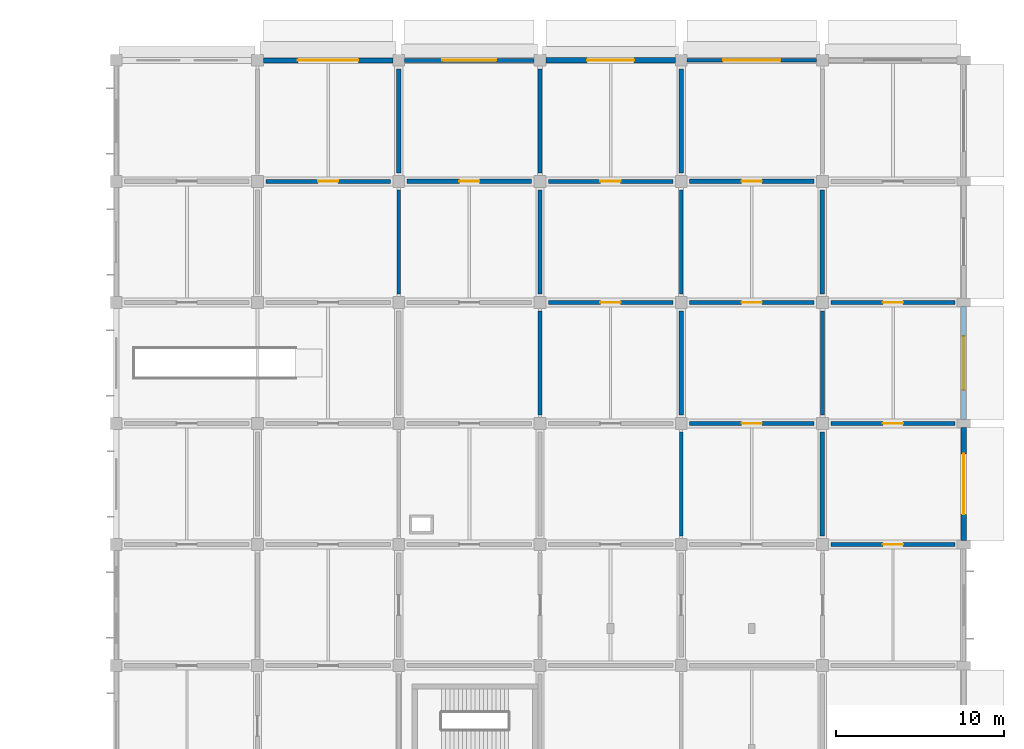
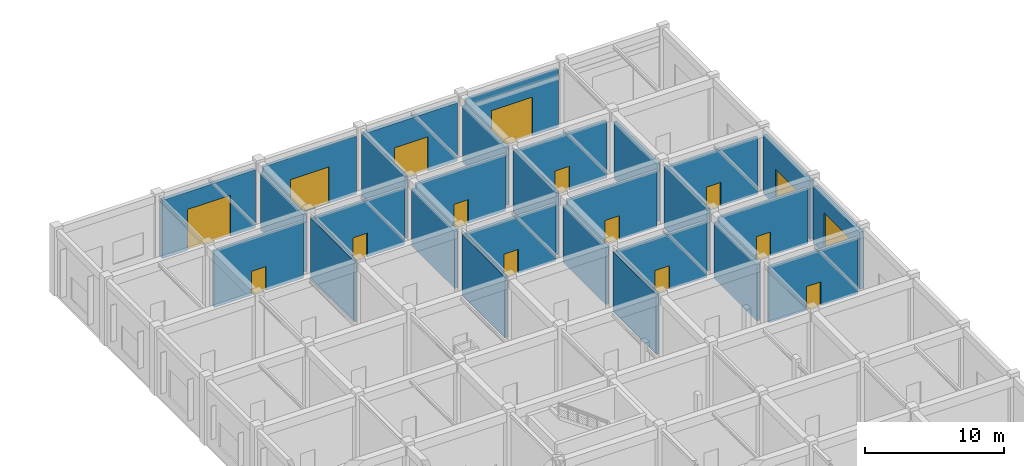
# One storey, part 26 of 39: 28 walls, 16 doors, 16 openings.
"""IFC4 building model written with IfcOpenShell, lengths in metres."""

from ifc_helpers import new_model, si_unit, derived_unit, direction, frame, frame_2d, origin, place, context, subcontext, project, spatial, rectangle, extrude, material, layer, layer_set, type_object, element, fill, save


model = new_model("IFC4")

# Units and contexts
model_context = context("Model", 3, precision=1e-05, world=origin(), true_north=direction((0.0, 1.0)))
body_context = subcontext(model_context, "Body", "Model", "MODEL_VIEW")
ifc_project = project(units=[si_unit("LENGTHUNIT", "METRE"), si_unit("AREAUNIT", "SQUARE_METRE"), si_unit("VOLUMEUNIT", "CUBIC_METRE"), si_unit("PLANEANGLEUNIT", "RADIAN"), si_unit("MASSUNIT", "GRAM", prefix="KILO"), derived_unit("THERMALTRANSMITTANCEUNIT", [(si_unit("MASSUNIT", "GRAM", prefix="KILO"), 1), (si_unit("TIMEUNIT", "SECOND"), -3), (si_unit("THERMODYNAMICTEMPERATUREUNIT", "KELVIN"), -1)])], contexts=[model_context])

# Site, building, storey
site_placement = place(None, origin())
site = spatial("IfcSite", under=ifc_project, at=site_placement, CompositionType="ELEMENT")
building_placement = place(site_placement, origin())
building = spatial("IfcBuilding", under=site, at=building_placement, Name="Veldstrom Oceanarium and Marine Research Institute", CompositionType="ELEMENT")
storey_placement = place(building_placement, origin())
storey = spatial("IfcBuildingStorey", under=building, at=storey_placement, Name="L00", CompositionType="ELEMENT", Elevation=0.0)

# Wall, opening, door
ifc_material_1 = material(Name="Masonry Cavity Wall", Category="masonry")
ifc_layer_1 = layer(ifc_material_1, 0.31005859375)
ifc_layer_set_1 = layer_set([ifc_layer_1], Name="ARC-WAL-EW1")
wall_type_1 = type_object("IfcWallType", Name="ARC-WAL-EW1", PredefinedType="SOLIDWALL", material=ifc_layer_set_1)
wall_1_placement = place(storey_placement, frame((143.14990234375, 115.199951171875, 0.0), z_axis=(0.0, 0.0, 1.0), x_axis=(1.0, 0.0, 0.0)))
wall_1 = element("IfcWall", 1, at=wall_1_placement, inside=storey, type_object=wall_type_1, Name="Exterior Facade Wall EW1 L00-048", PredefinedType="SOLIDWALL", context=body_context, shape_type="SweptSolid", body=[
    extrude(rectangle(XDim=7.7001953125, YDim=0.31005859375, at=frame_2d((3.85009765625, 0.0))), origin(), (0.0, 0.0, 1.0), 5.1201171875),
])
opening_1_placement = place(wall_1_placement, frame((2.449951171875, 0.0, 0.0)))
opening_1 = element("IfcOpeningElement", 2, at=opening_1_placement, cuts=wall_1, Name="Opening G-L00-03", PredefinedType="OPENING", context=body_context, shape_type="SweptSolid", body=[
    extrude(rectangle(XDim=2.800048828125, YDim=3.0, at=frame_2d((1.39990234375, 1.5))), frame((0.0, 0.1650390625, 0.0), z_axis=(0.0, -1.0, 0.0), x_axis=(1.0, 0.0, 0.0)), (0.0, 0.0, 1.0), 0.330078125),
])
ifc_material_2 = material(Name="Galvanised Plant Access Shutter", Category="steel")
door_type_1 = type_object("IfcDoorType", Name="ARC-DOR-GT3", OperationType="ROLLINGUP", PredefinedType="GATE", material=ifc_material_2)
door_1_placement = place(opening_1_placement, origin())
door_1 = element("IfcDoor", 3, at=door_1_placement, inside=storey, type_object=door_type_1, Name="Roller Shutter Gate G-L00-03", OperationType="ROLLINGUP", OverallHeight=3.0, OverallWidth=2.800048828125, PredefinedType="GATE", context=body_context, shape_type="SweptSolid", body=[
    extrude(rectangle(XDim=2.800048828125, YDim=3.0, at=frame_2d((1.39990234375, 1.5))), frame((0.0, 0.02490234375, 0.0), z_axis=(0.0, -1.0, 0.0), x_axis=(1.0, 0.0, 0.0)), (0.0, 0.0, 1.0), 0.050048828125),
])
fill(opening_1, door_1)

wall_2_placement = place(storey_placement, frame((168.0, 86.64990234375, 0.0), z_axis=(0.0, 0.0, 1.0), x_axis=(0.0, 1.0, 0.0)))
wall_2 = element("IfcWall", 4, at=wall_2_placement, inside=storey, type_object=wall_type_1, Name="Exterior Facade Wall EW1 L00-058", PredefinedType="SOLIDWALL", context=body_context, shape_type="SweptSolid", body=[
    extrude(rectangle(XDim=6.7001953125, YDim=0.31005859375, at=frame_2d((3.35009765625, 0.0))), origin(), (0.0, 0.0, 1.0), 5.02001953125),
])
opening_2_placement = place(wall_2_placement, frame((1.550048828125, 0.0, 0.0)))
opening_2 = element("IfcOpeningElement", 5, at=opening_2_placement, cuts=wall_2, Name="Opening G-L00-05", PredefinedType="OPENING", context=body_context, shape_type="SweptSolid", body=[
    extrude(rectangle(XDim=3.60009765625, YDim=3.60009765625, at=frame_2d((1.800048828125, 1.800048828125))), frame((0.0, 0.1650390625, 0.0), z_axis=(0.0, -1.0, 0.0), x_axis=(1.0, 0.0, 0.0)), (0.0, 0.0, 1.0), 0.330078125),
])
ifc_material_3 = material(Name="Insulated Steel Quarantine Shutter", Category="steel")
door_type_2 = type_object("IfcDoorType", Name="ARC-DOR-GT1", OperationType="ROLLINGUP", PredefinedType="GATE", material=ifc_material_3)
door_2_placement = place(opening_2_placement, frame((3.60009765625, 0.0, 0.0), z_axis=(0.0, 0.0, 1.0), x_axis=(-1.0, 0.0, 0.0)))
door_2 = element("IfcDoor", 6, at=door_2_placement, inside=storey, type_object=door_type_2, Name="Roller Shutter Gate G-L00-05", OperationType="ROLLINGUP", OverallHeight=3.60009765625, OverallWidth=3.60009765625, PredefinedType="GATE", context=body_context, shape_type="SweptSolid", body=[
    extrude(rectangle(XDim=3.60009765625, YDim=3.60009765625, at=frame_2d((1.800048828125, 1.800048828125))), frame((0.0, 0.02490234375, 0.0), z_axis=(0.0, -1.0, 0.0), x_axis=(1.0, 0.0, 0.0)), (0.0, 0.0, 1.0), 0.050048828125),
])
fill(opening_2, door_2)

ifc_material_4 = material(Name="Masonry Cavity Wall", Category="masonry")
ifc_layer_2 = layer(ifc_material_4, 0.2900390625)
ifc_layer_set_2 = layer_set([ifc_layer_2], Name="ARC-WAL-EW2")
wall_type_2 = type_object("IfcWallType", Name="ARC-WAL-EW2", PredefinedType="SOLIDWALL", material=ifc_layer_set_2)
wall_3_placement = place(storey_placement, frame((126.35009765625, 115.199951171875, 0.0), z_axis=(0.0, 0.0, 1.0), x_axis=(1.0, 0.0, 0.0)))
wall_3 = element("IfcWall", 7, at=wall_3_placement, inside=storey, type_object=wall_type_2, Name="Exterior Facade Wall EW2 L00-044", PredefinedType="SOLIDWALL", context=body_context, shape_type="SweptSolid", body=[
    extrude(rectangle(XDim=7.699951171875, YDim=0.2900390625, at=frame_2d((3.85009765625, 0.0))), origin(), (0.0, 0.0, 1.0), 5.1201171875),
])
opening_3_placement = place(wall_3_placement, frame((2.050048828125, 0.0, 0.0)))
opening_3 = element("IfcOpeningElement", 8, at=opening_3_placement, cuts=wall_3, Name="Opening G-L00-01", PredefinedType="OPENING", context=body_context, shape_type="SweptSolid", body=[
    extrude(rectangle(XDim=3.60009765625, YDim=3.60009765625, at=frame_2d((1.800048828125, 1.800048828125))), frame((0.0, 0.155029296875, 0.0), z_axis=(0.0, -1.0, 0.0), x_axis=(1.0, 0.0, 0.0)), (0.0, 0.0, 1.0), 0.31005859375),
])
door_3_placement = place(opening_3_placement, origin())
door_3 = element("IfcDoor", 9, at=door_3_placement, inside=storey, type_object=door_type_2, Name="Roller Shutter Gate G-L00-01", OperationType="ROLLINGUP", OverallHeight=3.60009765625, OverallWidth=3.60009765625, PredefinedType="GATE", context=body_context, shape_type="SweptSolid", body=[
    extrude(rectangle(XDim=3.60009765625, YDim=3.60009765625, at=frame_2d((1.800048828125, 1.800048828125))), frame((0.0, 0.02490234375, 0.0), z_axis=(0.0, -1.0, 0.0), x_axis=(1.0, 0.0, 0.0)), (0.0, 0.0, 1.0), 0.050048828125),
])
fill(opening_3, door_3)

wall_4_placement = place(storey_placement, frame((168.0, 93.85009765625, 0.0), z_axis=(0.0, 0.0, 1.0), x_axis=(0.0, 1.0, 0.0)))
wall_4 = element("IfcWall", 10, at=wall_4_placement, inside=storey, type_object=wall_type_2, Name="Exterior Facade Wall EW2 L00-059", PredefinedType="SOLIDWALL", context=body_context, shape_type="SweptSolid", body=[
    extrude(rectangle(XDim=6.699951171875, YDim=0.2900390625, at=frame_2d((3.35009765625, 0.0))), origin(), (0.0, 0.0, 1.0), 5.1201171875),
])
opening_4_placement = place(wall_4_placement, frame((1.75, 0.0, 0.0)))
opening_4 = element("IfcOpeningElement", 11, at=opening_4_placement, cuts=wall_4, Name="Opening G-L00-06", PredefinedType="OPENING", context=body_context, shape_type="SweptSolid", body=[
    extrude(rectangle(XDim=3.199951171875, YDim=3.199951171875, at=frame_2d((1.60009765625, 1.60009765625))), frame((0.0, 0.155029296875, 0.0), z_axis=(0.0, -1.0, 0.0), x_axis=(1.0, 0.0, 0.0)), (0.0, 0.0, 1.0), 0.31005859375),
])
ifc_material_5 = material(Name="Insulated Steel Loading Shutter", Category="steel")
door_type_3 = type_object("IfcDoorType", Name="ARC-DOR-GT2", OperationType="ROLLINGUP", PredefinedType="GATE", material=ifc_material_5)
door_4_placement = place(opening_4_placement, frame((3.199951171875, 0.0, 0.0), z_axis=(0.0, 0.0, 1.0), x_axis=(-1.0, 0.0, 0.0)))
door_4 = element("IfcDoor", 12, at=door_4_placement, inside=storey, type_object=door_type_3, Name="Roller Shutter Gate G-L00-06", OperationType="ROLLINGUP", OverallHeight=3.199951171875, OverallWidth=3.199951171875, PredefinedType="GATE", context=body_context, shape_type="SweptSolid", body=[
    extrude(rectangle(XDim=3.199951171875, YDim=3.199951171875, at=frame_2d((1.60009765625, 1.60009765625))), frame((0.0, 0.02490234375, 0.0), z_axis=(0.0, -1.0, 0.0), x_axis=(1.0, 0.0, 0.0)), (0.0, 0.0, 1.0), 0.050048828125),
])
fill(opening_4, door_4)

ifc_material_6 = material(Name="Masonry Cavity Wall", Category="masonry")
ifc_layer_3 = layer(ifc_material_6, 0.25)
ifc_layer_set_3 = layer_set([ifc_layer_3], Name="ARC-WAL-EW5")
wall_type_3 = type_object("IfcWallType", Name="ARC-WAL-EW5", PredefinedType="SOLIDWALL", material=ifc_layer_set_3)
wall_5_placement = place(storey_placement, frame((134.75, 115.199951171875, 0.0), z_axis=(0.0, 0.0, 1.0), x_axis=(1.0, 0.0, 0.0)))
wall_5 = element("IfcWall", 13, at=wall_5_placement, inside=storey, type_object=wall_type_3, Name="Exterior Facade Wall EW5 L00-046", PredefinedType="SOLIDWALL", context=body_context, shape_type="SweptSolid", body=[
    extrude(rectangle(XDim=7.699951171875, YDim=0.25, at=frame_2d((3.85009765625, 0.0))), origin(), (0.0, 0.0, 1.0), 5.1201171875),
])
opening_5_placement = place(wall_5_placement, frame((2.25, 0.0, 0.0)))
opening_5 = element("IfcOpeningElement", 14, at=opening_5_placement, cuts=wall_5, Name="Opening G-L00-02", PredefinedType="OPENING", context=body_context, shape_type="SweptSolid", body=[
    extrude(rectangle(XDim=3.199951171875, YDim=3.199951171875, at=frame_2d((1.60009765625, 1.60009765625))), frame((0.0, 0.135009765625, 0.0), z_axis=(0.0, -1.0, 0.0), x_axis=(1.0, 0.0, 0.0)), (0.0, 0.0, 1.0), 0.27001953125),
])
door_5_placement = place(opening_5_placement, origin())
door_5 = element("IfcDoor", 15, at=door_5_placement, inside=storey, type_object=door_type_3, Name="Roller Shutter Gate G-L00-02", OperationType="ROLLINGUP", OverallHeight=3.199951171875, OverallWidth=3.199951171875, PredefinedType="GATE", context=body_context, shape_type="SweptSolid", body=[
    extrude(rectangle(XDim=3.199951171875, YDim=3.199951171875, at=frame_2d((1.60009765625, 1.60009765625))), frame((0.0, 0.02490234375, 0.0), z_axis=(0.0, -1.0, 0.0), x_axis=(1.0, 0.0, 0.0)), (0.0, 0.0, 1.0), 0.050048828125),
])
fill(opening_5, door_5)

ifc_material_7 = material(Name="Masonry Cavity Wall", Category="masonry")
ifc_layer_4 = layer(ifc_material_7, 0.215087890625)
ifc_layer_set_4 = layer_set([ifc_layer_4], Name="ARC-WAL-EW6")
wall_type_4 = type_object("IfcWallType", Name="ARC-WAL-EW6", PredefinedType="SOLIDWALL", material=ifc_layer_set_4)
wall_6_placement = place(storey_placement, frame((151.550048828125, 115.199951171875, 0.0), z_axis=(0.0, 0.0, 1.0), x_axis=(1.0, 0.0, 0.0)))
wall_6 = element("IfcWall", 16, at=wall_6_placement, inside=storey, type_object=wall_type_4, Name="Exterior Facade Wall EW6 L00-052", PredefinedType="SOLIDWALL", context=body_context, shape_type="SweptSolid", body=[
    extrude(rectangle(XDim=7.699951171875, YDim=0.215087890625, at=frame_2d((3.85009765625, 0.0))), origin(), (0.0, 0.0, 1.0), 5.1201171875),
])
opening_6_placement = place(wall_6_placement, frame((2.14990234375, 0.0, 0.0)))
opening_6 = element("IfcOpeningElement", 17, at=opening_6_placement, cuts=wall_6, Name="Opening G-L00-04", PredefinedType="OPENING", context=body_context, shape_type="SweptSolid", body=[
    extrude(rectangle(XDim=3.39990234375, YDim=3.39990234375, at=frame_2d((1.699951171875, 1.699951171875))), frame((0.0, 0.117431640625, 0.0), z_axis=(0.0, -1.0, 0.0), x_axis=(1.0, 0.0, 0.0)), (0.0, 0.0, 1.0), 0.235107421875),
])
ifc_material_8 = material(Name="Biosecure Dock Shutter", Category="steel")
door_type_4 = type_object("IfcDoorType", Name="ARC-DOR-GT4", OperationType="ROLLINGUP", PredefinedType="GATE", material=ifc_material_8)
door_6_placement = place(opening_6_placement, origin())
door_6 = element("IfcDoor", 18, at=door_6_placement, inside=storey, type_object=door_type_4, Name="Roller Shutter Gate G-L00-04", OperationType="ROLLINGUP", OverallHeight=3.39990234375, OverallWidth=3.39990234375, PredefinedType="GATE", context=body_context, shape_type="SweptSolid", body=[
    extrude(rectangle(XDim=3.39990234375, YDim=3.39990234375, at=frame_2d((1.699951171875, 1.699951171875))), frame((0.0, 0.02490234375, 0.0), z_axis=(0.0, -1.0, 0.0), x_axis=(1.0, 0.0, 0.0)), (0.0, 0.0, 1.0), 0.050048828125),
])
fill(opening_6, door_6)

# Wall
ifc_material_9 = material(Name="Masonry Fire Compartment Wall", Category="masonry")
ifc_layer_5 = layer(ifc_material_9, 0.22998046875)
ifc_layer_set_5 = layer_set([ifc_layer_5], Name="ARC-WAL-PT1")
wall_type_5 = type_object("IfcWallType", Name="ARC-WAL-PT1", PredefinedType="PARTITIONING", material=ifc_layer_set_5)
wall_7_placement = place(storey_placement, frame((134.39990234375, 101.300048828125, 0.0), z_axis=(0.0, 0.0, 1.0), x_axis=(0.0, 1.0, 0.0)))
element("IfcWall", 19, at=wall_7_placement, inside=storey, type_object=wall_type_5, Name="Interior Partition PT1 L00-0758", PredefinedType="PARTITIONING", context=body_context, shape_type="SweptSolid", body=[
    extrude(rectangle(XDim=6.199951171875, YDim=0.22998046875, at=frame_2d((3.10009765625, 0.0))), origin(), (0.0, 0.0, 1.0), 5.3701171875),
])

# Wall, opening, door
wall_8_placement = place(storey_placement, frame((126.5, 108.0, 0.0), z_axis=(0.0, 0.0, 1.0), x_axis=(1.0, 0.0, 0.0)))
wall_8 = element("IfcWall", 20, at=wall_8_placement, inside=storey, type_object=wall_type_5, Name="Interior Partition PT1 L00-0759", PredefinedType="PARTITIONING", context=body_context, shape_type="SweptSolid", body=[
    extrude(rectangle(XDim=7.39990234375, YDim=0.22998046875, at=frame_2d((3.699951171875, 0.0))), origin(), (0.0, 0.0, 1.0), 4.969970703125),
])
opening_7_placement = place(wall_8_placement, frame((3.10009765625, 0.0, 0.0)))
opening_7 = element("IfcOpeningElement", 21, at=opening_7_placement, cuts=wall_8, Name="Opening D-L00-438", PredefinedType="OPENING", context=body_context, shape_type="SweptSolid", body=[
    extrude(rectangle(XDim=1.199951171875, YDim=2.10009765625, at=frame_2d((0.60009765625, 1.050048828125))), frame((0.0, 0.125, 0.0), z_axis=(0.0, -1.0, 0.0), x_axis=(1.0, 0.0, 0.0)), (0.0, 0.0, 1.0), 0.25),
])
ifc_material_10 = material(Name="Quarantine Biosecure Door", Category="steel")
door_type_5 = type_object("IfcDoorType", Name="ARC-DOR-ID06", OperationType="SINGLE_SWING_RIGHT", PredefinedType="DOOR", material=ifc_material_10)
door_7_placement = place(opening_7_placement, frame((1.199951171875, 0.0, 0.0), z_axis=(0.0, 0.0, 1.0), x_axis=(-1.0, 0.0, 0.0)))
door_7 = element("IfcDoor", 22, at=door_7_placement, inside=storey, type_object=door_type_5, Name="Interior Door D-L00-438", OperationType="SINGLE_SWING_LEFT", OverallHeight=2.10009765625, OverallWidth=1.199951171875, PredefinedType="DOOR", context=body_context, shape_type="SweptSolid", body=[
    extrude(rectangle(XDim=1.199951171875, YDim=2.10009765625, at=frame_2d((0.60009765625, 1.050048828125))), frame((0.0, 0.02490234375, 0.0), z_axis=(0.0, -1.0, 0.0), x_axis=(1.0, 0.0, 0.0)), (0.0, 0.0, 1.0), 0.050048828125),
])
fill(opening_7, door_7)

# Walls
wall_9_placement = place(storey_placement, frame((142.800048828125, 94.10009765625, 0.0), z_axis=(0.0, 0.0, 1.0), x_axis=(0.0, 1.0, 0.0)))
element("IfcWall", 23, at=wall_9_placement, inside=storey, type_object=wall_type_5, Name="Interior Partition PT1 L00-0775", PredefinedType="PARTITIONING", context=body_context, shape_type="SweptSolid", body=[
    extrude(rectangle(XDim=6.199951171875, YDim=0.22998046875, at=frame_2d((3.10009765625, 0.0))), origin(), (0.0, 0.0, 1.0), 5.3701171875),
])
wall_10_placement = place(storey_placement, frame((142.800048828125, 108.5, 0.0), z_axis=(0.0, 0.0, 1.0), x_axis=(0.0, 1.0, 0.0)))
element("IfcWall", 24, at=wall_10_placement, inside=storey, type_object=wall_type_5, Name="Interior Partition PT1 L00-0779", PredefinedType="PARTITIONING", context=body_context, shape_type="SweptSolid", body=[
    extrude(rectangle(XDim=6.199951171875, YDim=0.22998046875, at=frame_2d((3.10009765625, 0.0))), origin(), (0.0, 0.0, 1.0), 5.47998046875),
])
wall_11_placement = place(storey_placement, frame((151.199951171875, 86.89990234375, 0.0), z_axis=(0.0, 0.0, 1.0), x_axis=(0.0, 1.0, 0.0)))
element("IfcWall", 25, at=wall_11_placement, inside=storey, type_object=wall_type_5, Name="Interior Partition PT1 L00-0792", PredefinedType="PARTITIONING", context=body_context, shape_type="SweptSolid", body=[
    extrude(rectangle(XDim=6.2001953125, YDim=0.22998046875, at=frame_2d((3.10009765625, 0.0))), origin(), (0.0, 0.0, 1.0), 5.27001953125),
])
wall_12_placement = place(storey_placement, frame((151.199951171875, 101.300048828125, 0.0), z_axis=(0.0, 0.0, 1.0), x_axis=(0.0, 1.0, 0.0)))
element("IfcWall", 26, at=wall_12_placement, inside=storey, type_object=wall_type_5, Name="Interior Partition PT1 L00-0796", PredefinedType="PARTITIONING", context=body_context, shape_type="SweptSolid", body=[
    extrude(rectangle(XDim=6.199951171875, YDim=0.22998046875, at=frame_2d((3.10009765625, 0.0))), origin(), (0.0, 0.0, 1.0), 5.47998046875),
])

# Wall, opening, door
wall_13_placement = place(storey_placement, frame((143.300048828125, 108.0, 0.0), z_axis=(0.0, 0.0, 1.0), x_axis=(1.0, 0.0, 0.0)))
wall_13 = element("IfcWall", 27, at=wall_13_placement, inside=storey, type_object=wall_type_5, Name="Interior Partition PT1 L00-0797", PredefinedType="PARTITIONING", context=body_context, shape_type="SweptSolid", body=[
    extrude(rectangle(XDim=7.39990234375, YDim=0.22998046875, at=frame_2d((3.699951171875, 0.0))), origin(), (0.0, 0.0, 1.0), 4.969970703125),
])
opening_8_placement = place(wall_13_placement, frame((3.10009765625, 0.0, 0.0)))
opening_8 = element("IfcOpeningElement", 28, at=opening_8_placement, cuts=wall_13, Name="Opening D-L00-458", PredefinedType="OPENING", context=body_context, shape_type="SweptSolid", body=[
    extrude(rectangle(XDim=1.199951171875, YDim=2.10009765625, at=frame_2d((0.60009765625, 1.050048828125))), frame((0.0, 0.125, 0.0), z_axis=(0.0, -1.0, 0.0), x_axis=(1.0, 0.0, 0.0)), (0.0, 0.0, 1.0), 0.25),
])
door_8_placement = place(opening_8_placement, frame((1.199951171875, 0.0, 0.0), z_axis=(0.0, 0.0, 1.0), x_axis=(-1.0, 0.0, 0.0)))
door_8 = element("IfcDoor", 29, at=door_8_placement, inside=storey, type_object=door_type_5, Name="Interior Door D-L00-458", OperationType="SINGLE_SWING_LEFT", OverallHeight=2.10009765625, OverallWidth=1.199951171875, PredefinedType="DOOR", context=body_context, shape_type="SweptSolid", body=[
    extrude(rectangle(XDim=1.199951171875, YDim=2.10009765625, at=frame_2d((0.60009765625, 1.050048828125))), frame((0.0, 0.02490234375, 0.0), z_axis=(0.0, -1.0, 0.0), x_axis=(1.0, 0.0, 0.0)), (0.0, 0.0, 1.0), 0.050048828125),
])
fill(opening_8, door_8)

# Wall
wall_14_placement = place(storey_placement, frame((159.60009765625, 94.10009765625, 0.0), z_axis=(0.0, 0.0, 1.0), x_axis=(0.0, 1.0, 0.0)))
element("IfcWall", 30, at=wall_14_placement, inside=storey, type_object=wall_type_5, Name="Interior Partition PT1 L00-0811", PredefinedType="PARTITIONING", context=body_context, shape_type="SweptSolid", body=[
    extrude(rectangle(XDim=6.199951171875, YDim=0.22998046875, at=frame_2d((3.10009765625, 0.0))), origin(), (0.0, 0.0, 1.0), 5.47998046875),
])

# Wall, opening, door
wall_15_placement = place(storey_placement, frame((151.699951171875, 100.800048828125, 0.0), z_axis=(0.0, 0.0, 1.0), x_axis=(1.0, 0.0, 0.0)))
wall_15 = element("IfcWall", 31, at=wall_15_placement, inside=storey, type_object=wall_type_5, Name="Interior Partition PT1 L00-0812", PredefinedType="PARTITIONING", context=body_context, shape_type="SweptSolid", body=[
    extrude(rectangle(XDim=7.400146484375, YDim=0.22998046875, at=frame_2d((3.7001953125, 0.0))), origin(), (0.0, 0.0, 1.0), 4.969970703125),
])
opening_9_placement = place(wall_15_placement, frame((3.10009765625, 0.0, 0.0)))
opening_9 = element("IfcOpeningElement", 32, at=opening_9_placement, cuts=wall_15, Name="Opening D-L00-466", PredefinedType="OPENING", context=body_context, shape_type="SweptSolid", body=[
    extrude(rectangle(XDim=1.199951171875, YDim=2.10009765625, at=frame_2d((0.60009765625, 1.050048828125))), frame((0.0, 0.125, 0.0), z_axis=(0.0, -1.0, 0.0), x_axis=(1.0, 0.0, 0.0)), (0.0, 0.0, 1.0), 0.25),
])
door_9_placement = place(opening_9_placement, frame((1.199951171875, 0.0, 0.0), z_axis=(0.0, 0.0, 1.0), x_axis=(-1.0, 0.0, 0.0)))
door_9 = element("IfcDoor", 33, at=door_9_placement, inside=storey, type_object=door_type_5, Name="Interior Door D-L00-466", OperationType="SINGLE_SWING_LEFT", OverallHeight=2.10009765625, OverallWidth=1.199951171875, PredefinedType="DOOR", context=body_context, shape_type="SweptSolid", body=[
    extrude(rectangle(XDim=1.199951171875, YDim=2.10009765625, at=frame_2d((0.60009765625, 1.050048828125))), frame((0.0, 0.02490234375, 0.0), z_axis=(0.0, -1.0, 0.0), x_axis=(1.0, 0.0, 0.0)), (0.0, 0.0, 1.0), 0.050048828125),
])
fill(opening_9, door_9)

wall_16_placement = place(storey_placement, frame((160.10009765625, 93.60009765625, 0.0), z_axis=(0.0, 0.0, 1.0), x_axis=(1.0, 0.0, 0.0)))
wall_16 = element("IfcWall", 34, at=wall_16_placement, inside=storey, type_object=wall_type_5, Name="Interior Partition PT1 L00-0820", PredefinedType="PARTITIONING", context=body_context, shape_type="SweptSolid", body=[
    extrude(rectangle(XDim=7.39990234375, YDim=0.22998046875, at=frame_2d((3.699951171875, 0.0))), origin(), (0.0, 0.0, 1.0), 4.8701171875),
])
opening_10_placement = place(wall_16_placement, frame((3.10009765625, 0.0, 0.0)))
opening_10 = element("IfcOpeningElement", 35, at=opening_10_placement, cuts=wall_16, Name="Opening D-L00-471", PredefinedType="OPENING", context=body_context, shape_type="SweptSolid", body=[
    extrude(rectangle(XDim=1.199951171875, YDim=2.10009765625, at=frame_2d((0.60009765625, 1.050048828125))), frame((0.0, 0.125, 0.0), z_axis=(0.0, -1.0, 0.0), x_axis=(1.0, 0.0, 0.0)), (0.0, 0.0, 1.0), 0.25),
])
door_10_placement = place(opening_10_placement, frame((1.199951171875, 0.0, 0.0), z_axis=(0.0, 0.0, 1.0), x_axis=(-1.0, 0.0, 0.0)))
door_10 = element("IfcDoor", 36, at=door_10_placement, inside=storey, type_object=door_type_5, Name="Interior Door D-L00-471", OperationType="SINGLE_SWING_LEFT", OverallHeight=2.10009765625, OverallWidth=1.199951171875, PredefinedType="DOOR", context=body_context, shape_type="SweptSolid", body=[
    extrude(rectangle(XDim=1.199951171875, YDim=2.10009765625, at=frame_2d((0.60009765625, 1.050048828125))), frame((0.0, 0.02490234375, 0.0), z_axis=(0.0, -1.0, 0.0), x_axis=(1.0, 0.0, 0.0)), (0.0, 0.0, 1.0), 0.050048828125),
])
fill(opening_10, door_10)

# Walls
ifc_material_11 = material(Name="Plant Acoustic Masonry Wall", Category="masonry")
ifc_layer_6 = layer(ifc_material_11, 0.260009765625)
ifc_layer_set_6 = layer_set([ifc_layer_6], Name="ARC-WAL-PT8")
wall_type_6 = type_object("IfcWallType", Name="ARC-WAL-PT8", PredefinedType="PARTITIONING", material=ifc_layer_set_6)
for number, where, z_axis, x_axis, name in (
    (37, (134.39990234375, 108.5, 0.0), (0.0, 0.0, 1.0), (0.0, 1.0, 0.0), "Interior Partition PT8 L00-0760"),
    (38, (142.800048828125, 101.300048828125, 0.0), (0.0, 0.0, 1.0), (0.0, 1.0, 0.0), "Interior Partition PT8 L00-0777"),
):
    element("IfcWall", number, at=place(storey_placement, frame(where, z_axis=z_axis, x_axis=x_axis)), inside=storey, type_object=wall_type_6, Name=name, PredefinedType="PARTITIONING", context=body_context, shape_type="SweptSolid", body=[
        extrude(rectangle(XDim=6.199951171875, YDim=0.260009765625, at=frame_2d((3.10009765625, 0.0))), origin(), (0.0, 0.0, 1.0), 5.02001953125),
    ])

# Wall, opening, door
wall_17_placement = place(storey_placement, frame((134.89990234375, 108.0, 0.0), z_axis=(0.0, 0.0, 1.0), x_axis=(1.0, 0.0, 0.0)))
wall_17 = element("IfcWall", 39, at=wall_17_placement, inside=storey, type_object=wall_type_6, Name="Interior Partition PT8 L00-0778", PredefinedType="PARTITIONING", context=body_context, shape_type="SweptSolid", body=[
    extrude(rectangle(XDim=7.400146484375, YDim=0.260009765625, at=frame_2d((3.7001953125, 0.0))), origin(), (0.0, 0.0, 1.0), 4.969970703125),
])
opening_11_placement = place(wall_17_placement, frame((3.10009765625, 0.0, 0.0)))
opening_11 = element("IfcOpeningElement", 40, at=opening_11_placement, cuts=wall_17, Name="Opening D-L00-448", PredefinedType="OPENING", context=body_context, shape_type="SweptSolid", body=[
    extrude(rectangle(XDim=1.199951171875, YDim=2.10009765625, at=frame_2d((0.60009765625, 1.050048828125))), frame((0.0, 0.139892578125, 0.0), z_axis=(0.0, -1.0, 0.0), x_axis=(1.0, 0.0, 0.0)), (0.0, 0.0, 1.0), 0.280029296875),
])
door_11_placement = place(opening_11_placement, origin())
door_11 = element("IfcDoor", 41, at=door_11_placement, inside=storey, type_object=door_type_5, Name="Interior Door D-L00-448", OperationType="SINGLE_SWING_LEFT", OverallHeight=2.10009765625, OverallWidth=1.199951171875, PredefinedType="DOOR", context=body_context, shape_type="SweptSolid", body=[
    extrude(rectangle(XDim=1.199951171875, YDim=2.10009765625, at=frame_2d((0.60009765625, 1.050048828125))), frame((0.0, 0.02490234375, 0.0), z_axis=(0.0, -1.0, 0.0), x_axis=(1.0, 0.0, 0.0)), (0.0, 0.0, 1.0), 0.050048828125),
])
fill(opening_11, door_11)

# Wall
wall_18_placement = place(storey_placement, frame((151.199951171875, 94.10009765625, 0.0), z_axis=(0.0, 0.0, 1.0), x_axis=(0.0, 1.0, 0.0)))
element("IfcWall", 42, at=wall_18_placement, inside=storey, type_object=wall_type_6, Name="Interior Partition PT8 L00-0794", PredefinedType="PARTITIONING", context=body_context, shape_type="SweptSolid", body=[
    extrude(rectangle(XDim=6.199951171875, YDim=0.260009765625, at=frame_2d((3.10009765625, 0.0))), origin(), (0.0, 0.0, 1.0), 5.02001953125),
])

# Wall, opening, door
wall_19_placement = place(storey_placement, frame((143.300048828125, 100.800048828125, 0.0), z_axis=(0.0, 0.0, 1.0), x_axis=(1.0, 0.0, 0.0)))
wall_19 = element("IfcWall", 43, at=wall_19_placement, inside=storey, type_object=wall_type_6, Name="Interior Partition PT8 L00-0795", PredefinedType="PARTITIONING", context=body_context, shape_type="SweptSolid", body=[
    extrude(rectangle(XDim=7.39990234375, YDim=0.260009765625, at=frame_2d((3.699951171875, 0.0))), origin(), (0.0, 0.0, 1.0), 4.969970703125),
])
opening_12_placement = place(wall_19_placement, frame((3.10009765625, 0.0, 0.0)))
opening_12 = element("IfcOpeningElement", 44, at=opening_12_placement, cuts=wall_19, Name="Opening D-L00-457", PredefinedType="OPENING", context=body_context, shape_type="SweptSolid", body=[
    extrude(rectangle(XDim=1.199951171875, YDim=2.10009765625, at=frame_2d((0.60009765625, 1.050048828125))), frame((0.0, 0.139892578125, 0.0), z_axis=(0.0, -1.0, 0.0), x_axis=(1.0, 0.0, 0.0)), (0.0, 0.0, 1.0), 0.280029296875),
])
door_12_placement = place(opening_12_placement, origin())
door_12 = element("IfcDoor", 45, at=door_12_placement, inside=storey, type_object=door_type_5, Name="Interior Door D-L00-457", OperationType="SINGLE_SWING_LEFT", OverallHeight=2.10009765625, OverallWidth=1.199951171875, PredefinedType="DOOR", context=body_context, shape_type="SweptSolid", body=[
    extrude(rectangle(XDim=1.199951171875, YDim=2.10009765625, at=frame_2d((0.60009765625, 1.050048828125))), frame((0.0, 0.02490234375, 0.0), z_axis=(0.0, -1.0, 0.0), x_axis=(1.0, 0.0, 0.0)), (0.0, 0.0, 1.0), 0.050048828125),
])
fill(opening_12, door_12)

# Walls
wall_20_placement = place(storey_placement, frame((151.199951171875, 108.5, 0.0), z_axis=(0.0, 0.0, 1.0), x_axis=(0.0, 1.0, 0.0)))
element("IfcWall", 46, at=wall_20_placement, inside=storey, type_object=wall_type_6, Name="Interior Partition PT8 L00-0798", PredefinedType="PARTITIONING", context=body_context, shape_type="SweptSolid", body=[
    extrude(rectangle(XDim=6.199951171875, YDim=0.260009765625, at=frame_2d((3.10009765625, 0.0))), origin(), (0.0, 0.0, 1.0), 5.02001953125),
])
wall_21_placement = place(storey_placement, frame((159.60009765625, 86.89990234375, 0.0), z_axis=(0.0, 0.0, 1.0), x_axis=(0.0, 1.0, 0.0)))
element("IfcWall", 47, at=wall_21_placement, inside=storey, type_object=wall_type_6, Name="Interior Partition PT8 L00-0809", PredefinedType="PARTITIONING", context=body_context, shape_type="SweptSolid", body=[
    extrude(rectangle(XDim=6.2001953125, YDim=0.260009765625, at=frame_2d((3.10009765625, 0.0))), origin(), (0.0, 0.0, 1.0), 4.919921875),
])

# Wall, opening, door
wall_22_placement = place(storey_placement, frame((151.699951171875, 93.60009765625, 0.0), z_axis=(0.0, 0.0, 1.0), x_axis=(1.0, 0.0, 0.0)))
wall_22 = element("IfcWall", 48, at=wall_22_placement, inside=storey, type_object=wall_type_6, Name="Interior Partition PT8 L00-0810", PredefinedType="PARTITIONING", context=body_context, shape_type="SweptSolid", body=[
    extrude(rectangle(XDim=7.400146484375, YDim=0.260009765625, at=frame_2d((3.7001953125, 0.0))), origin(), (0.0, 0.0, 1.0), 4.8701171875),
])
opening_13_placement = place(wall_22_placement, frame((3.10009765625, 0.0, 0.0)))
opening_13 = element("IfcOpeningElement", 49, at=opening_13_placement, cuts=wall_22, Name="Opening D-L00-465", PredefinedType="OPENING", context=body_context, shape_type="SweptSolid", body=[
    extrude(rectangle(XDim=1.199951171875, YDim=2.10009765625, at=frame_2d((0.60009765625, 1.050048828125))), frame((0.0, 0.139892578125, 0.0), z_axis=(0.0, -1.0, 0.0), x_axis=(1.0, 0.0, 0.0)), (0.0, 0.0, 1.0), 0.280029296875),
])
door_13_placement = place(opening_13_placement, origin())
door_13 = element("IfcDoor", 50, at=door_13_placement, inside=storey, type_object=door_type_5, Name="Interior Door D-L00-465", OperationType="SINGLE_SWING_LEFT", OverallHeight=2.10009765625, OverallWidth=1.199951171875, PredefinedType="DOOR", context=body_context, shape_type="SweptSolid", body=[
    extrude(rectangle(XDim=1.199951171875, YDim=2.10009765625, at=frame_2d((0.60009765625, 1.050048828125))), frame((0.0, 0.02490234375, 0.0), z_axis=(0.0, -1.0, 0.0), x_axis=(1.0, 0.0, 0.0)), (0.0, 0.0, 1.0), 0.050048828125),
])
fill(opening_13, door_13)

# Wall
wall_23_placement = place(storey_placement, frame((159.60009765625, 101.300048828125, 0.0), z_axis=(0.0, 0.0, 1.0), x_axis=(0.0, 1.0, 0.0)))
element("IfcWall", 51, at=wall_23_placement, inside=storey, type_object=wall_type_6, Name="Interior Partition PT8 L00-0813", PredefinedType="PARTITIONING", context=body_context, shape_type="SweptSolid", body=[
    extrude(rectangle(XDim=6.199951171875, YDim=0.260009765625, at=frame_2d((3.10009765625, 0.0))), origin(), (0.0, 0.0, 1.0), 5.02001953125),
])

# Wall, opening, door
wall_24_placement = place(storey_placement, frame((151.699951171875, 108.0, 0.0), z_axis=(0.0, 0.0, 1.0), x_axis=(1.0, 0.0, 0.0)))
wall_24 = element("IfcWall", 52, at=wall_24_placement, inside=storey, type_object=wall_type_6, Name="Interior Partition PT8 L00-0814", PredefinedType="PARTITIONING", context=body_context, shape_type="SweptSolid", body=[
    extrude(rectangle(XDim=7.400146484375, YDim=0.260009765625, at=frame_2d((3.7001953125, 0.0))), origin(), (0.0, 0.0, 1.0), 4.969970703125),
])
opening_14_placement = place(wall_24_placement, frame((3.10009765625, 0.0, 0.0)))
opening_14 = element("IfcOpeningElement", 53, at=opening_14_placement, cuts=wall_24, Name="Opening D-L00-467", PredefinedType="OPENING", context=body_context, shape_type="SweptSolid", body=[
    extrude(rectangle(XDim=1.199951171875, YDim=2.10009765625, at=frame_2d((0.60009765625, 1.050048828125))), frame((0.0, 0.139892578125, 0.0), z_axis=(0.0, -1.0, 0.0), x_axis=(1.0, 0.0, 0.0)), (0.0, 0.0, 1.0), 0.280029296875),
])
door_14_placement = place(opening_14_placement, origin())
door_14 = element("IfcDoor", 54, at=door_14_placement, inside=storey, type_object=door_type_5, Name="Interior Door D-L00-467", OperationType="SINGLE_SWING_LEFT", OverallHeight=2.10009765625, OverallWidth=1.199951171875, PredefinedType="DOOR", context=body_context, shape_type="SweptSolid", body=[
    extrude(rectangle(XDim=1.199951171875, YDim=2.10009765625, at=frame_2d((0.60009765625, 1.050048828125))), frame((0.0, 0.02490234375, 0.0), z_axis=(0.0, -1.0, 0.0), x_axis=(1.0, 0.0, 0.0)), (0.0, 0.0, 1.0), 0.050048828125),
])
fill(opening_14, door_14)

wall_25_placement = place(storey_placement, frame((160.10009765625, 86.39990234375, 0.0), z_axis=(0.0, 0.0, 1.0), x_axis=(1.0, 0.0, 0.0)))
wall_25 = element("IfcWall", 55, at=wall_25_placement, inside=storey, type_object=wall_type_6, Name="Interior Partition PT8 L00-0819", PredefinedType="PARTITIONING", context=body_context, shape_type="SweptSolid", body=[
    extrude(rectangle(XDim=7.39990234375, YDim=0.260009765625, at=frame_2d((3.699951171875, 0.0))), origin(), (0.0, 0.0, 1.0), 4.8701171875),
])
opening_15_placement = place(wall_25_placement, frame((3.10009765625, 0.0, 0.0)))
opening_15 = element("IfcOpeningElement", 56, at=opening_15_placement, cuts=wall_25, Name="Opening D-L00-470", PredefinedType="OPENING", context=body_context, shape_type="SweptSolid", body=[
    extrude(rectangle(XDim=1.199951171875, YDim=2.10009765625, at=frame_2d((0.60009765625, 1.050048828125))), frame((0.0, 0.139892578125, 0.0), z_axis=(0.0, -1.0, 0.0), x_axis=(1.0, 0.0, 0.0)), (0.0, 0.0, 1.0), 0.280029296875),
])
door_15_placement = place(opening_15_placement, origin())
door_15 = element("IfcDoor", 57, at=door_15_placement, inside=storey, type_object=door_type_5, Name="Interior Door D-L00-470", OperationType="SINGLE_SWING_LEFT", OverallHeight=2.10009765625, OverallWidth=1.199951171875, PredefinedType="DOOR", context=body_context, shape_type="SweptSolid", body=[
    extrude(rectangle(XDim=1.199951171875, YDim=2.10009765625, at=frame_2d((0.60009765625, 1.050048828125))), frame((0.0, 0.02490234375, 0.0), z_axis=(0.0, -1.0, 0.0), x_axis=(1.0, 0.0, 0.0)), (0.0, 0.0, 1.0), 0.050048828125),
])
fill(opening_15, door_15)

wall_26_placement = place(storey_placement, frame((160.10009765625, 100.800048828125, 0.0), z_axis=(0.0, 0.0, 1.0), x_axis=(1.0, 0.0, 0.0)))
wall_26 = element("IfcWall", 58, at=wall_26_placement, inside=storey, type_object=wall_type_6, Name="Interior Partition PT8 L00-0821", PredefinedType="PARTITIONING", context=body_context, shape_type="SweptSolid", body=[
    extrude(rectangle(XDim=7.39990234375, YDim=0.260009765625, at=frame_2d((3.699951171875, 0.0))), origin(), (0.0, 0.0, 1.0), 4.969970703125),
])
opening_16_placement = place(wall_26_placement, frame((3.10009765625, 0.0, 0.0)))
opening_16 = element("IfcOpeningElement", 59, at=opening_16_placement, cuts=wall_26, Name="Opening D-L00-472", PredefinedType="OPENING", context=body_context, shape_type="SweptSolid", body=[
    extrude(rectangle(XDim=1.199951171875, YDim=2.10009765625, at=frame_2d((0.60009765625, 1.050048828125))), frame((0.0, 0.139892578125, 0.0), z_axis=(0.0, -1.0, 0.0), x_axis=(1.0, 0.0, 0.0)), (0.0, 0.0, 1.0), 0.280029296875),
])
door_16_placement = place(opening_16_placement, origin())
door_16 = element("IfcDoor", 60, at=door_16_placement, inside=storey, type_object=door_type_5, Name="Interior Door D-L00-472", OperationType="SINGLE_SWING_LEFT", OverallHeight=2.10009765625, OverallWidth=1.199951171875, PredefinedType="DOOR", context=body_context, shape_type="SweptSolid", body=[
    extrude(rectangle(XDim=1.199951171875, YDim=2.10009765625, at=frame_2d((0.60009765625, 1.050048828125))), frame((0.0, 0.02490234375, 0.0), z_axis=(0.0, -1.0, 0.0), x_axis=(1.0, 0.0, 0.0)), (0.0, 0.0, 1.0), 0.050048828125),
])
fill(opening_16, door_16)

save(model, "model.ifc")
